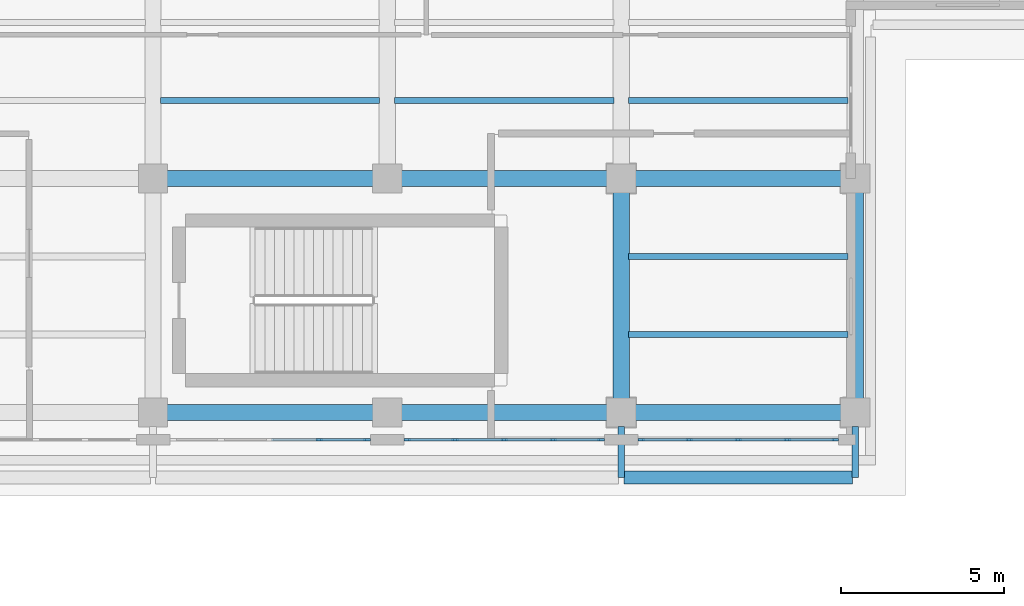
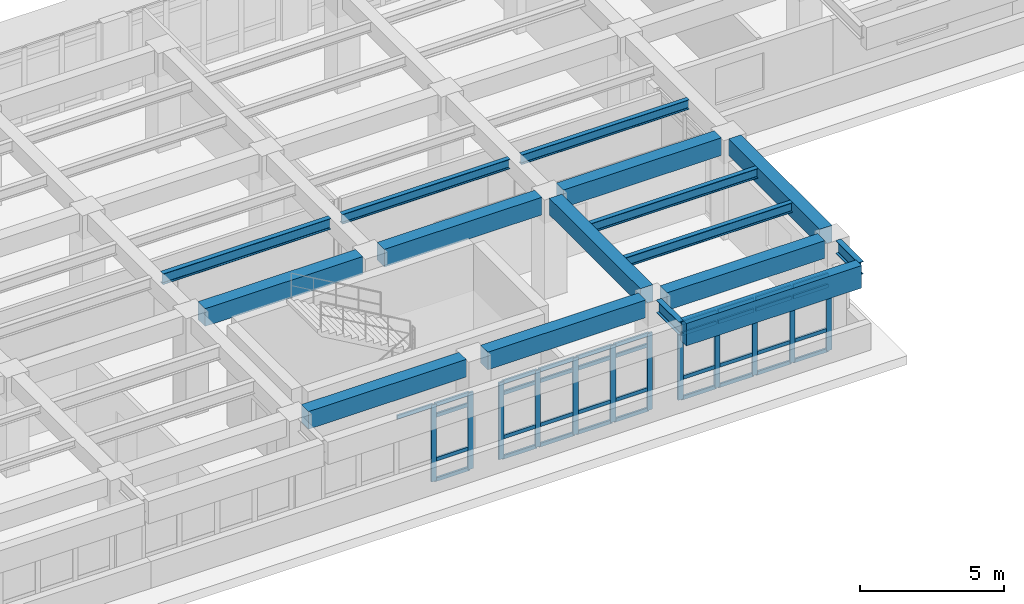
# One storey, part 11 of 69: 49 members, 16 beams, 3 elements without a shape of their own.
"""IFC4 building model written with IfcOpenShell, lengths in metres."""

from ifc_helpers import new_model, si_unit, direction, frame, origin, origin_2d, place, context, subcontext, project, spatial, rectangle, i_section, extrude, material, layer, layer_set, material_profile, profile_set, type_object, element, aggregate, save


model = new_model("IFC4")

# Units and contexts
model_context = context("Model", 3, precision=1e-05, world=origin(), true_north=direction((0.0, 1.0)))
body_context = subcontext(model_context, "Body", "Model", "MODEL_VIEW")
ifc_project = project(units=[si_unit("LENGTHUNIT", "METRE"), si_unit("AREAUNIT", "SQUARE_METRE"), si_unit("VOLUMEUNIT", "CUBIC_METRE"), si_unit("PLANEANGLEUNIT", "RADIAN"), si_unit("MASSUNIT", "GRAM", prefix="KILO")], contexts=[model_context])

# Site, building, storey
site_placement = place(None, origin())
site = spatial("IfcSite", under=ifc_project, at=site_placement, CompositionType="ELEMENT")
building_placement = place(site_placement, origin())
building = spatial("IfcBuilding", under=site, at=building_placement, Name="Solenvale Faculty of Natural Sciences", CompositionType="ELEMENT")
storey_placement = place(building_placement, frame((0.0, 0.0, 4.5)))
storey = spatial("IfcBuildingStorey", under=building, at=storey_placement, Name="L01", CompositionType="ELEMENT", Elevation=4.5)

# Beams
ifc_material_1 = material(Name="Concrete 40 MPa", Category="concrete")
ifc_material_profile_1 = material_profile(ifc_material_1, rectangle(XDim=0.5, YDim=0.699951171875, at=origin_2d()), Name="RC-BM-500x700")
ifc_profile_set_1 = profile_set([ifc_material_profile_1], Name="Concrete 40 MPa")
beam_type_1 = type_object("IfcBeamType", Name="BM-RC-500x700", PredefinedType="BEAM", material=ifc_profile_set_1)
for number, where, z_axis, x_axis, name in (
    (1, (108.0, 22.030029296875, 3.8701171875), (0.0, 1.0, 0.0), (-1.0, 0.0, 0.0), "L01 Y-Girder X108.0 (21.6..28.8)"),
    (2, (115.199951171875, 22.030029296875, 3.8701171875), (0.0, 1.0, 0.0), (-1.0, 0.0, 0.0), "L01 Y-Girder X115.2 (21.6..28.8)"),
):
    element("IfcBeam", number, at=place(storey_placement, frame(where, z_axis=z_axis, x_axis=x_axis)), inside=storey, type_object=beam_type_1, Name=name, PredefinedType="BEAM", context=body_context, shape_type="SweptSolid", body=[
        extrude(rectangle(XDim=0.5, YDim=0.699951171875, at=origin_2d()), origin(), (0.0, 0.0, 1.0), 6.340087890625),
    ])
ifc_material_profile_2 = material_profile(ifc_material_1, rectangle(XDim=0.5, YDim=0.75, at=origin_2d()), Name="RC-BM-500x750")
ifc_profile_set_2 = profile_set([ifc_material_profile_2], Name="Concrete 40 MPa")
beam_type_2 = type_object("IfcBeamType", Name="BM-RC-500x750", PredefinedType="BEAM", material=ifc_profile_set_2)
for number, where, z_axis, x_axis, name in (
    (3, (94.030029296875, 21.60009765625, 3.844970703125), (1.0, 0.0, 0.0), (0.0, 1.0, 0.0), "L01 X-Girder Y21.6 (93.6..100.8)"),
    (4, (101.22998046875, 21.60009765625, 3.844970703125), (1.0, 0.0, 0.0), (0.0, 1.0, 0.0), "L01 X-Girder Y21.6 (100.8..108.0)"),
    (5, (108.429931640625, 21.60009765625, 3.844970703125), (1.0, 0.0, 0.0), (0.0, 1.0, 0.0), "L01 X-Girder Y21.6 (108.0..115.2)"),
    (6, (94.030029296875, 28.800048828125, 3.844970703125), (1.0, 0.0, 0.0), (0.0, 1.0, 0.0), "L01 X-Girder Y28.8 (93.6..100.8)"),
    (7, (101.22998046875, 28.800048828125, 3.844970703125), (1.0, 0.0, 0.0), (0.0, 1.0, 0.0), "L01 X-Girder Y28.8 (100.8..108.0)"),
    (8, (108.429931640625, 28.800048828125, 3.844970703125), (1.0, 0.0, 0.0), (0.0, 1.0, 0.0), "L01 X-Girder Y28.8 (108.0..115.2)"),
):
    element("IfcBeam", number, at=place(storey_placement, frame(where, z_axis=z_axis, x_axis=x_axis)), inside=storey, type_object=beam_type_2, Name=name, PredefinedType="BEAM", context=body_context, shape_type="SweptSolid", body=[
        extrude(rectangle(XDim=0.5, YDim=0.75, at=origin_2d()), origin(), (0.0, 0.0, 1.0), 6.340087890625),
    ])
ifc_material_2 = material(Name="Architectural bronze concrete 40 MPa", Category="concrete")
ifc_material_profile_3 = material_profile(ifc_material_2, rectangle(XDim=0.39990234375, YDim=0.949951171875, at=origin_2d()), Name="RC-SPN-400x950")
ifc_profile_set_3 = profile_set([ifc_material_profile_3], Name="Architectural bronze concrete 40 MPa")
beam_type_3 = type_object("IfcBeamType", Name="BM-SPN-BRZ-950", PredefinedType="SPANDREL", material=ifc_profile_set_3)
beam_1_placement = place(storey_placement, frame((108.080078125, 19.60009765625, 3.7451171875), z_axis=(1.0, 0.0, 0.0), x_axis=(0.0, 1.0, 0.0)))
element("IfcBeam", 9, at=beam_1_placement, inside=storey, type_object=beam_type_3, Name="L02 Sliding-Tray South Bronze Fascia 6", PredefinedType="SPANDREL", context=body_context, shape_type="SweptSolid", body=[
    extrude(rectangle(XDim=0.39990234375, YDim=0.949951171875, at=origin_2d()), origin(), (0.0, 0.0, 1.0), 7.0400390625),
])
ifc_material_3 = material(Name="Steel S355", Category="steel")
ifc_material_profile_4 = material_profile(ifc_material_3, i_section(OverallWidth=0.178955078125, OverallDepth=0.409912109375, WebThickness=0.0087890625, FlangeThickness=0.014404296875, FilletRadius=0.01611328125, at=origin_2d()), Name="W410x67")
ifc_profile_set_4 = profile_set([ifc_material_profile_4], Name="Steel S355")
beam_type_4 = type_object("IfcBeamType", Name="BM-STL-W410x67", PredefinedType="JOIST", material=ifc_profile_set_4)
beam_2_placement = place(storey_placement, frame((108.22998046875, 31.199951171875, 4.014892578125), z_axis=(1.0, 0.0, 0.0), x_axis=(0.0, 1.0, 0.0)))
element("IfcBeam", 10, at=beam_2_placement, inside=storey, type_object=beam_type_4, Name="L01 Composite Floor Joist (16,5).1", PredefinedType="JOIST", context=body_context, shape_type="SweptSolid", body=[
    extrude(i_section(OverallWidth=0.178955078125, OverallDepth=0.409912109375, WebThickness=0.0087890625, FlangeThickness=0.014404296875, FilletRadius=0.01611328125, at=origin_2d()), origin(), (0.0, 0.0, 1.0), 6.739990234375),
])
ifc_material_profile_5 = material_profile(ifc_material_3, i_section(OverallWidth=0.180908203125, OverallDepth=0.4169921875, WebThickness=0.010986328125, FlangeThickness=0.018310546875, FilletRadius=0.01611328125, at=origin_2d()), Name="W410x85")
ifc_profile_set_5 = profile_set([ifc_material_profile_5], Name="Steel S355")
beam_type_5 = type_object("IfcBeamType", Name="BM-STL-W410x85", PredefinedType="JOIST", material=ifc_profile_set_5)
for number, where, z_axis, x_axis, name in (
    (11, (101.030029296875, 31.199951171875, 4.011474609375), (1.0, 0.0, 0.0), (0.0, 1.0, 0.0), "L01 Composite Floor Joist (15,5).1"),
    (12, (108.22998046875, 24.0, 4.011474609375), (1.0, 0.0, 0.0), (0.0, 1.0, 0.0), "L01 Composite Floor Joist (16,4).1"),
    (13, (108.22998046875, 26.39990234375, 4.011474609375), (1.0, 0.0, 0.0), (0.0, 1.0, 0.0), "L01 Composite Floor Joist (16,4).2"),
):
    element("IfcBeam", number, at=place(storey_placement, frame(where, z_axis=z_axis, x_axis=x_axis)), inside=storey, type_object=beam_type_5, Name=name, PredefinedType="JOIST", context=body_context, shape_type="SweptSolid", body=[
        extrude(i_section(OverallWidth=0.180908203125, OverallDepth=0.4169921875, WebThickness=0.010986328125, FlangeThickness=0.018310546875, FilletRadius=0.01611328125, at=origin_2d()), origin(), (0.0, 0.0, 1.0), 6.739990234375),
    ])
ifc_material_profile_6 = material_profile(ifc_material_3, i_section(OverallWidth=0.19091796875, OverallDepth=0.4599609375, WebThickness=0.010009765625, FlangeThickness=0.01611328125, FilletRadius=0.01806640625, at=origin_2d()), Name="W460x82")
ifc_profile_set_6 = profile_set([ifc_material_profile_6], Name="Steel S355")
beam_type_6 = type_object("IfcBeamType", Name="BM-STL-W460x82", PredefinedType="JOIST", material=ifc_profile_set_6)
beam_3_placement = place(storey_placement, frame((93.830078125, 31.199951171875, 3.989990234375), z_axis=(1.0, 0.0, 0.0), x_axis=(0.0, 1.0, 0.0)))
element("IfcBeam", 14, at=beam_3_placement, inside=storey, type_object=beam_type_6, Name="L01 Composite Floor Joist (14,5).1", PredefinedType="JOIST", context=body_context, shape_type="SweptSolid", body=[
    extrude(i_section(OverallWidth=0.19091796875, OverallDepth=0.4599609375, WebThickness=0.010009765625, FlangeThickness=0.01611328125, FilletRadius=0.01806640625, at=origin_2d()), origin(), (0.0, 0.0, 1.0), 6.739990234375),
])
ifc_material_profile_7 = material_profile(ifc_material_3, i_section(OverallWidth=0.2119140625, OverallDepth=0.5439453125, WebThickness=0.01318359375, FlangeThickness=0.021240234375, FilletRadius=0.01904296875, at=origin_2d()), Name="W530x123")
ifc_profile_set_7 = profile_set([ifc_material_profile_7], Name="Steel S355")
beam_type_7 = type_object("IfcBeamType", Name="BM-STL-W530x123", PredefinedType="BEAM", material=ifc_profile_set_7)
for number, where, z_axis, x_axis, name in (
    (15, (108.0, 21.169921875, 3.947998046875), (0.0, -1.0, 0.0), (1.0, 0.0, 0.0), "L01 V4 Cantilever Tray Girder X108.0"),
    (16, (115.199951171875, 21.169921875, 3.947998046875), (0.0, -1.0, 0.0), (1.0, 0.0, 0.0), "L01 V4 Cantilever Tray Girder X115.2"),
):
    element("IfcBeam", number, at=place(storey_placement, frame(where, z_axis=z_axis, x_axis=x_axis)), inside=storey, type_object=beam_type_7, Name=name, PredefinedType="BEAM", context=body_context, shape_type="SweptSolid", body=[
        extrude(i_section(OverallWidth=0.2119140625, OverallDepth=0.5439453125, WebThickness=0.01318359375, FlangeThickness=0.021240234375, FilletRadius=0.01904296875, at=origin_2d()), origin(), (0.0, 0.0, 1.0), 1.56982421875),
    ])

# Curtain wall, members
ifc_material_4 = material(Name="Anodised bronze aluminium", Category="aluminium")
ifc_layer = layer(ifc_material_4, 0.18994140625)
ifc_layer_set = layer_set([ifc_layer], Name="Anodised bronze aluminium")
curtain_wall_type = type_object("IfcCurtainWallType", Name="CW-TRAY-REC", PredefinedType="USERDEFINED", material=ifc_layer_set)
curtain_wall_1_placement = place(storey_placement, origin())
curtain_wall_1 = element("IfcCurtainWall", 17, at=curtain_wall_1_placement, inside=storey, type_object=curtain_wall_type, Name="L01 Curtain Wall CW-L01-P1-E5-B6", ObjectType="UNITISED CURTAIN WALL", PredefinedType="USERDEFINED")
ifc_material_profile_8 = material_profile(ifc_material_4, rectangle(XDim=0.074951171875, YDim=0.2099609375, at=origin_2d()), Name="ALU-MUL-75x210")
ifc_profile_set_8 = profile_set([ifc_material_profile_8], Name="Anodised bronze aluminium")
member_type_1 = type_object("IfcMemberType", Name="CWM-ALU-75x210", PredefinedType="MULLION", material=ifc_profile_set_8)
member_1_placement = place(storey_placement, frame((98.7099609375, 20.762451171875, 0.0), z_axis=(0.0, 0.0, 1.0), x_axis=(0.0, 1.0, 0.0)))
member_1 = element("IfcMember", 18, at=member_1_placement, type_object=member_type_1, Name="CW-02 mullion 4", PredefinedType="MULLION", context=body_context, shape_type="SweptSolid", body=[
    extrude(rectangle(XDim=0.074951171875, YDim=0.2099609375, at=origin_2d()), origin(), (0.0, 0.0, 1.0), 3.260009765625),
])
member_2_placement = place(storey_placement, frame((100.1826171875, 20.762451171875, 0.0), z_axis=(0.0, 0.0, 1.0), x_axis=(0.0, 1.0, 0.0)))
member_2 = element("IfcMember", 19, at=member_2_placement, type_object=member_type_1, Name="CW-02 mullion 5", PredefinedType="MULLION", context=body_context, shape_type="SweptSolid", body=[
    extrude(rectangle(XDim=0.074951171875, YDim=0.2099609375, at=origin_2d()), origin(), (0.0, 0.0, 1.0), 3.260009765625),
])

curtain_wall_2_placement = place(storey_placement, origin())
curtain_wall_2 = element("IfcCurtainWall", 20, at=curtain_wall_2_placement, inside=storey, type_object=curtain_wall_type, Name="L01 Curtain Wall CW-L01-P1-E5-B7", ObjectType="UNITISED CURTAIN WALL", PredefinedType="USERDEFINED")
member_3_placement = place(storey_placement, frame((101.41748046875, 20.762451171875, 0.0), z_axis=(0.0, 0.0, 1.0), x_axis=(0.0, 1.0, 0.0)))
member_3 = element("IfcMember", 21, at=member_3_placement, type_object=member_type_1, Name="CW-02 mullion 1", PredefinedType="MULLION", context=body_context, shape_type="SweptSolid", body=[
    extrude(rectangle(XDim=0.074951171875, YDim=0.2099609375, at=origin_2d()), origin(), (0.0, 0.0, 1.0), 3.260009765625),
])
member_4_placement = place(storey_placement, frame((102.889892578125, 20.762451171875, 0.0), z_axis=(0.0, 0.0, 1.0), x_axis=(0.0, 1.0, 0.0)))
member_4 = element("IfcMember", 22, at=member_4_placement, type_object=member_type_1, Name="CW-02 mullion 2", PredefinedType="MULLION", context=body_context, shape_type="SweptSolid", body=[
    extrude(rectangle(XDim=0.074951171875, YDim=0.2099609375, at=origin_2d()), origin(), (0.0, 0.0, 1.0), 3.260009765625),
])
member_5_placement = place(storey_placement, frame((104.39990234375, 20.762451171875, 0.0), z_axis=(0.0, 0.0, 1.0), x_axis=(0.0, 1.0, 0.0)))
member_5 = element("IfcMember", 23, at=member_5_placement, type_object=member_type_1, Name="CW-02 mullion 3", PredefinedType="MULLION", context=body_context, shape_type="SweptSolid", body=[
    extrude(rectangle(XDim=0.074951171875, YDim=0.2099609375, at=origin_2d()), origin(), (0.0, 0.0, 1.0), 3.260009765625),
])
member_6_placement = place(storey_placement, frame((105.909912109375, 20.762451171875, 0.0), z_axis=(0.0, 0.0, 1.0), x_axis=(0.0, 1.0, 0.0)))
member_6 = element("IfcMember", 24, at=member_6_placement, type_object=member_type_1, Name="CW-02 mullion 4", PredefinedType="MULLION", context=body_context, shape_type="SweptSolid", body=[
    extrude(rectangle(XDim=0.074951171875, YDim=0.2099609375, at=origin_2d()), origin(), (0.0, 0.0, 1.0), 3.260009765625),
])
member_7_placement = place(storey_placement, frame((107.382568359375, 20.762451171875, 0.0), z_axis=(0.0, 0.0, 1.0), x_axis=(0.0, 1.0, 0.0)))
member_7 = element("IfcMember", 25, at=member_7_placement, type_object=member_type_1, Name="CW-02 mullion 5", PredefinedType="MULLION", context=body_context, shape_type="SweptSolid", body=[
    extrude(rectangle(XDim=0.074951171875, YDim=0.2099609375, at=origin_2d()), origin(), (0.0, 0.0, 1.0), 3.260009765625),
])

curtain_wall_3_placement = place(storey_placement, origin())
curtain_wall_3 = element("IfcCurtainWall", 26, at=curtain_wall_3_placement, inside=storey, type_object=curtain_wall_type, Name="L01 Curtain Wall CW-L01-P1-E5-B8", ObjectType="UNITISED CURTAIN WALL", PredefinedType="USERDEFINED")
member_8_placement = place(storey_placement, frame((108.617431640625, 20.762451171875, 0.0), z_axis=(0.0, 0.0, 1.0), x_axis=(0.0, 1.0, 0.0)))
member_8 = element("IfcMember", 27, at=member_8_placement, type_object=member_type_1, Name="CW-02 mullion 1", PredefinedType="MULLION", context=body_context, shape_type="SweptSolid", body=[
    extrude(rectangle(XDim=0.074951171875, YDim=0.2099609375, at=origin_2d()), origin(), (0.0, 0.0, 1.0), 3.260009765625),
])
member_9_placement = place(storey_placement, frame((110.090087890625, 20.762451171875, 0.0), z_axis=(0.0, 0.0, 1.0), x_axis=(0.0, 1.0, 0.0)))
member_9 = element("IfcMember", 28, at=member_9_placement, type_object=member_type_1, Name="CW-02 mullion 2", PredefinedType="MULLION", context=body_context, shape_type="SweptSolid", body=[
    extrude(rectangle(XDim=0.074951171875, YDim=0.2099609375, at=origin_2d()), origin(), (0.0, 0.0, 1.0), 3.260009765625),
])
member_10_placement = place(storey_placement, frame((111.60009765625, 20.762451171875, 0.0), z_axis=(0.0, 0.0, 1.0), x_axis=(0.0, 1.0, 0.0)))
member_10 = element("IfcMember", 29, at=member_10_placement, type_object=member_type_1, Name="CW-02 mullion 3", PredefinedType="MULLION", context=body_context, shape_type="SweptSolid", body=[
    extrude(rectangle(XDim=0.074951171875, YDim=0.2099609375, at=origin_2d()), origin(), (0.0, 0.0, 1.0), 3.260009765625),
])
member_11_placement = place(storey_placement, frame((113.110107421875, 20.762451171875, 0.0), z_axis=(0.0, 0.0, 1.0), x_axis=(0.0, 1.0, 0.0)))
member_11 = element("IfcMember", 30, at=member_11_placement, type_object=member_type_1, Name="CW-02 mullion 4", PredefinedType="MULLION", context=body_context, shape_type="SweptSolid", body=[
    extrude(rectangle(XDim=0.074951171875, YDim=0.2099609375, at=origin_2d()), origin(), (0.0, 0.0, 1.0), 3.260009765625),
])
member_12_placement = place(storey_placement, frame((114.58251953125, 20.762451171875, 0.0), z_axis=(0.0, 0.0, 1.0), x_axis=(0.0, 1.0, 0.0)))
member_12 = element("IfcMember", 31, at=member_12_placement, type_object=member_type_1, Name="CW-02 mullion 5", PredefinedType="MULLION", context=body_context, shape_type="SweptSolid", body=[
    extrude(rectangle(XDim=0.074951171875, YDim=0.2099609375, at=origin_2d()), origin(), (0.0, 0.0, 1.0), 3.260009765625),
])

# Member
ifc_material_profile_9 = material_profile(ifc_material_4, rectangle(XDim=0.074951171875, YDim=0.155029296875, at=origin_2d()), Name="ALU-TRN-75x155")
ifc_profile_set_9 = profile_set([ifc_material_profile_9], Name="Anodised bronze aluminium")
member_type_2 = type_object("IfcMemberType", Name="CWT-ALU-75x155", PredefinedType="USERDEFINED", material=ifc_profile_set_9)
member_13_placement = place(storey_placement, frame((97.237548828125, 20.762451171875, 3.222412109375), z_axis=(1.0, 0.0, 0.0), x_axis=(0.0, 1.0, 0.0)))
member_13 = element("IfcMember", 32, at=member_13_placement, type_object=member_type_2, Name="CW-02 transom 3.4", ObjectType="TRANSOM", PredefinedType="USERDEFINED", context=body_context, shape_type="SweptSolid", body=[
    extrude(rectangle(XDim=0.074951171875, YDim=0.155029296875, at=origin_2d()), origin(), (0.0, 0.0, 1.0), 1.43505859375),
])

member_14_placement = place(storey_placement, frame((98.74755859375, 20.762451171875, 0.03759765625), z_axis=(1.0, 0.0, 0.0), x_axis=(0.0, 1.0, 0.0)))
member_14 = element("IfcMember", 33, at=member_14_placement, type_object=member_type_2, Name="CW-02 transom 4.1", ObjectType="TRANSOM", PredefinedType="USERDEFINED", context=body_context, shape_type="SweptSolid", body=[
    extrude(rectangle(XDim=0.074951171875, YDim=0.155029296875, at=origin_2d()), origin(), (0.0, 0.0, 1.0), 1.3974609375),
])

member_15_placement = place(storey_placement, frame((98.74755859375, 20.762451171875, 0.89990234375), z_axis=(1.0, 0.0, 0.0), x_axis=(0.0, 1.0, 0.0)))
member_15 = element("IfcMember", 34, at=member_15_placement, type_object=member_type_2, Name="CW-02 transom 4.2", ObjectType="TRANSOM", PredefinedType="USERDEFINED", context=body_context, shape_type="SweptSolid", body=[
    extrude(rectangle(XDim=0.074951171875, YDim=0.155029296875, at=origin_2d()), origin(), (0.0, 0.0, 1.0), 1.3974609375),
])

member_16_placement = place(storey_placement, frame((98.74755859375, 20.762451171875, 2.760009765625), z_axis=(1.0, 0.0, 0.0), x_axis=(0.0, 1.0, 0.0)))
member_16 = element("IfcMember", 35, at=member_16_placement, type_object=member_type_2, Name="CW-02 transom 4.3", ObjectType="TRANSOM", PredefinedType="USERDEFINED", context=body_context, shape_type="SweptSolid", body=[
    extrude(rectangle(XDim=0.074951171875, YDim=0.155029296875, at=origin_2d()), origin(), (0.0, 0.0, 1.0), 1.3974609375),
])

member_17_placement = place(storey_placement, frame((98.74755859375, 20.762451171875, 3.222412109375), z_axis=(1.0, 0.0, 0.0), x_axis=(0.0, 1.0, 0.0)))
member_17 = element("IfcMember", 36, at=member_17_placement, type_object=member_type_2, Name="CW-02 transom 4.4", ObjectType="TRANSOM", PredefinedType="USERDEFINED", context=body_context, shape_type="SweptSolid", body=[
    extrude(rectangle(XDim=0.074951171875, YDim=0.155029296875, at=origin_2d()), origin(), (0.0, 0.0, 1.0), 1.3974609375),
])

aggregate(curtain_wall_1, [member_1, member_2, member_13, member_14, member_15, member_16, member_17])

member_18_placement = place(storey_placement, frame((101.455078125, 20.762451171875, 0.03759765625), z_axis=(1.0, 0.0, 0.0), x_axis=(0.0, 1.0, 0.0)))
member_18 = element("IfcMember", 37, at=member_18_placement, type_object=member_type_2, Name="CW-02 transom 1.1", ObjectType="TRANSOM", PredefinedType="USERDEFINED", context=body_context, shape_type="SweptSolid", body=[
    extrude(rectangle(XDim=0.074951171875, YDim=0.155029296875, at=origin_2d()), origin(), (0.0, 0.0, 1.0), 1.3974609375),
])

member_19_placement = place(storey_placement, frame((101.455078125, 20.762451171875, 0.89990234375), z_axis=(1.0, 0.0, 0.0), x_axis=(0.0, 1.0, 0.0)))
member_19 = element("IfcMember", 38, at=member_19_placement, type_object=member_type_2, Name="CW-02 transom 1.2", ObjectType="TRANSOM", PredefinedType="USERDEFINED", context=body_context, shape_type="SweptSolid", body=[
    extrude(rectangle(XDim=0.074951171875, YDim=0.155029296875, at=origin_2d()), origin(), (0.0, 0.0, 1.0), 1.3974609375),
])

member_20_placement = place(storey_placement, frame((101.455078125, 20.762451171875, 2.760009765625), z_axis=(1.0, 0.0, 0.0), x_axis=(0.0, 1.0, 0.0)))
member_20 = element("IfcMember", 39, at=member_20_placement, type_object=member_type_2, Name="CW-02 transom 1.3", ObjectType="TRANSOM", PredefinedType="USERDEFINED", context=body_context, shape_type="SweptSolid", body=[
    extrude(rectangle(XDim=0.074951171875, YDim=0.155029296875, at=origin_2d()), origin(), (0.0, 0.0, 1.0), 1.3974609375),
])

member_21_placement = place(storey_placement, frame((101.455078125, 20.762451171875, 3.222412109375), z_axis=(1.0, 0.0, 0.0), x_axis=(0.0, 1.0, 0.0)))
member_21 = element("IfcMember", 40, at=member_21_placement, type_object=member_type_2, Name="CW-02 transom 1.4", ObjectType="TRANSOM", PredefinedType="USERDEFINED", context=body_context, shape_type="SweptSolid", body=[
    extrude(rectangle(XDim=0.074951171875, YDim=0.155029296875, at=origin_2d()), origin(), (0.0, 0.0, 1.0), 1.3974609375),
])

member_22_placement = place(storey_placement, frame((102.927490234375, 20.762451171875, 0.03759765625), z_axis=(1.0, 0.0, 0.0), x_axis=(0.0, 1.0, 0.0)))
member_22 = element("IfcMember", 41, at=member_22_placement, type_object=member_type_2, Name="CW-02 transom 2.1", ObjectType="TRANSOM", PredefinedType="USERDEFINED", context=body_context, shape_type="SweptSolid", body=[
    extrude(rectangle(XDim=0.074951171875, YDim=0.155029296875, at=origin_2d()), origin(), (0.0, 0.0, 1.0), 1.43505859375),
])

member_23_placement = place(storey_placement, frame((102.927490234375, 20.762451171875, 0.89990234375), z_axis=(1.0, 0.0, 0.0), x_axis=(0.0, 1.0, 0.0)))
member_23 = element("IfcMember", 42, at=member_23_placement, type_object=member_type_2, Name="CW-02 transom 2.2", ObjectType="TRANSOM", PredefinedType="USERDEFINED", context=body_context, shape_type="SweptSolid", body=[
    extrude(rectangle(XDim=0.074951171875, YDim=0.155029296875, at=origin_2d()), origin(), (0.0, 0.0, 1.0), 1.43505859375),
])

member_24_placement = place(storey_placement, frame((102.927490234375, 20.762451171875, 2.760009765625), z_axis=(1.0, 0.0, 0.0), x_axis=(0.0, 1.0, 0.0)))
member_24 = element("IfcMember", 43, at=member_24_placement, type_object=member_type_2, Name="CW-02 transom 2.3", ObjectType="TRANSOM", PredefinedType="USERDEFINED", context=body_context, shape_type="SweptSolid", body=[
    extrude(rectangle(XDim=0.074951171875, YDim=0.155029296875, at=origin_2d()), origin(), (0.0, 0.0, 1.0), 1.43505859375),
])

member_25_placement = place(storey_placement, frame((102.927490234375, 20.762451171875, 3.222412109375), z_axis=(1.0, 0.0, 0.0), x_axis=(0.0, 1.0, 0.0)))
member_25 = element("IfcMember", 44, at=member_25_placement, type_object=member_type_2, Name="CW-02 transom 2.4", ObjectType="TRANSOM", PredefinedType="USERDEFINED", context=body_context, shape_type="SweptSolid", body=[
    extrude(rectangle(XDim=0.074951171875, YDim=0.155029296875, at=origin_2d()), origin(), (0.0, 0.0, 1.0), 1.43505859375),
])

member_26_placement = place(storey_placement, frame((104.4375, 20.762451171875, 0.03759765625), z_axis=(1.0, 0.0, 0.0), x_axis=(0.0, 1.0, 0.0)))
member_26 = element("IfcMember", 45, at=member_26_placement, type_object=member_type_2, Name="CW-02 transom 3.1", ObjectType="TRANSOM", PredefinedType="USERDEFINED", context=body_context, shape_type="SweptSolid", body=[
    extrude(rectangle(XDim=0.074951171875, YDim=0.155029296875, at=origin_2d()), origin(), (0.0, 0.0, 1.0), 1.43505859375),
])

member_27_placement = place(storey_placement, frame((104.4375, 20.762451171875, 0.89990234375), z_axis=(1.0, 0.0, 0.0), x_axis=(0.0, 1.0, 0.0)))
member_27 = element("IfcMember", 46, at=member_27_placement, type_object=member_type_2, Name="CW-02 transom 3.2", ObjectType="TRANSOM", PredefinedType="USERDEFINED", context=body_context, shape_type="SweptSolid", body=[
    extrude(rectangle(XDim=0.074951171875, YDim=0.155029296875, at=origin_2d()), origin(), (0.0, 0.0, 1.0), 1.43505859375),
])

member_28_placement = place(storey_placement, frame((104.4375, 20.762451171875, 2.760009765625), z_axis=(1.0, 0.0, 0.0), x_axis=(0.0, 1.0, 0.0)))
member_28 = element("IfcMember", 47, at=member_28_placement, type_object=member_type_2, Name="CW-02 transom 3.3", ObjectType="TRANSOM", PredefinedType="USERDEFINED", context=body_context, shape_type="SweptSolid", body=[
    extrude(rectangle(XDim=0.074951171875, YDim=0.155029296875, at=origin_2d()), origin(), (0.0, 0.0, 1.0), 1.43505859375),
])

member_29_placement = place(storey_placement, frame((104.4375, 20.762451171875, 3.222412109375), z_axis=(1.0, 0.0, 0.0), x_axis=(0.0, 1.0, 0.0)))
member_29 = element("IfcMember", 48, at=member_29_placement, type_object=member_type_2, Name="CW-02 transom 3.4", ObjectType="TRANSOM", PredefinedType="USERDEFINED", context=body_context, shape_type="SweptSolid", body=[
    extrude(rectangle(XDim=0.074951171875, YDim=0.155029296875, at=origin_2d()), origin(), (0.0, 0.0, 1.0), 1.43505859375),
])

member_30_placement = place(storey_placement, frame((105.947509765625, 20.762451171875, 0.03759765625), z_axis=(1.0, 0.0, 0.0), x_axis=(0.0, 1.0, 0.0)))
member_30 = element("IfcMember", 49, at=member_30_placement, type_object=member_type_2, Name="CW-02 transom 4.1", ObjectType="TRANSOM", PredefinedType="USERDEFINED", context=body_context, shape_type="SweptSolid", body=[
    extrude(rectangle(XDim=0.074951171875, YDim=0.155029296875, at=origin_2d()), origin(), (0.0, 0.0, 1.0), 1.3974609375),
])

member_31_placement = place(storey_placement, frame((105.947509765625, 20.762451171875, 0.89990234375), z_axis=(1.0, 0.0, 0.0), x_axis=(0.0, 1.0, 0.0)))
member_31 = element("IfcMember", 50, at=member_31_placement, type_object=member_type_2, Name="CW-02 transom 4.2", ObjectType="TRANSOM", PredefinedType="USERDEFINED", context=body_context, shape_type="SweptSolid", body=[
    extrude(rectangle(XDim=0.074951171875, YDim=0.155029296875, at=origin_2d()), origin(), (0.0, 0.0, 1.0), 1.3974609375),
])

member_32_placement = place(storey_placement, frame((105.947509765625, 20.762451171875, 2.760009765625), z_axis=(1.0, 0.0, 0.0), x_axis=(0.0, 1.0, 0.0)))
member_32 = element("IfcMember", 51, at=member_32_placement, type_object=member_type_2, Name="CW-02 transom 4.3", ObjectType="TRANSOM", PredefinedType="USERDEFINED", context=body_context, shape_type="SweptSolid", body=[
    extrude(rectangle(XDim=0.074951171875, YDim=0.155029296875, at=origin_2d()), origin(), (0.0, 0.0, 1.0), 1.3974609375),
])

member_33_placement = place(storey_placement, frame((105.947509765625, 20.762451171875, 3.222412109375), z_axis=(1.0, 0.0, 0.0), x_axis=(0.0, 1.0, 0.0)))
member_33 = element("IfcMember", 52, at=member_33_placement, type_object=member_type_2, Name="CW-02 transom 4.4", ObjectType="TRANSOM", PredefinedType="USERDEFINED", context=body_context, shape_type="SweptSolid", body=[
    extrude(rectangle(XDim=0.074951171875, YDim=0.155029296875, at=origin_2d()), origin(), (0.0, 0.0, 1.0), 1.3974609375),
])

aggregate(curtain_wall_2, [member_3, member_4, member_5, member_6, member_7, member_18, member_19, member_20, member_21, member_22, member_23, member_24, member_25, member_26, member_27, member_28, member_29, member_30, member_31, member_32, member_33])

member_34_placement = place(storey_placement, frame((108.655029296875, 20.762451171875, 0.03759765625), z_axis=(1.0, 0.0, 0.0), x_axis=(0.0, 1.0, 0.0)))
member_34 = element("IfcMember", 53, at=member_34_placement, type_object=member_type_2, Name="CW-02 transom 1.1", ObjectType="TRANSOM", PredefinedType="USERDEFINED", context=body_context, shape_type="SweptSolid", body=[
    extrude(rectangle(XDim=0.074951171875, YDim=0.155029296875, at=origin_2d()), origin(), (0.0, 0.0, 1.0), 1.3974609375),
])

member_35_placement = place(storey_placement, frame((108.655029296875, 20.762451171875, 0.89990234375), z_axis=(1.0, 0.0, 0.0), x_axis=(0.0, 1.0, 0.0)))
member_35 = element("IfcMember", 54, at=member_35_placement, type_object=member_type_2, Name="CW-02 transom 1.2", ObjectType="TRANSOM", PredefinedType="USERDEFINED", context=body_context, shape_type="SweptSolid", body=[
    extrude(rectangle(XDim=0.074951171875, YDim=0.155029296875, at=origin_2d()), origin(), (0.0, 0.0, 1.0), 1.3974609375),
])

member_36_placement = place(storey_placement, frame((108.655029296875, 20.762451171875, 2.760009765625), z_axis=(1.0, 0.0, 0.0), x_axis=(0.0, 1.0, 0.0)))
member_36 = element("IfcMember", 55, at=member_36_placement, type_object=member_type_2, Name="CW-02 transom 1.3", ObjectType="TRANSOM", PredefinedType="USERDEFINED", context=body_context, shape_type="SweptSolid", body=[
    extrude(rectangle(XDim=0.074951171875, YDim=0.155029296875, at=origin_2d()), origin(), (0.0, 0.0, 1.0), 1.3974609375),
])

member_37_placement = place(storey_placement, frame((108.655029296875, 20.762451171875, 3.222412109375), z_axis=(1.0, 0.0, 0.0), x_axis=(0.0, 1.0, 0.0)))
member_37 = element("IfcMember", 56, at=member_37_placement, type_object=member_type_2, Name="CW-02 transom 1.4", ObjectType="TRANSOM", PredefinedType="USERDEFINED", context=body_context, shape_type="SweptSolid", body=[
    extrude(rectangle(XDim=0.074951171875, YDim=0.155029296875, at=origin_2d()), origin(), (0.0, 0.0, 1.0), 1.3974609375),
])

member_38_placement = place(storey_placement, frame((110.12744140625, 20.762451171875, 0.03759765625), z_axis=(1.0, 0.0, 0.0), x_axis=(0.0, 1.0, 0.0)))
member_38 = element("IfcMember", 57, at=member_38_placement, type_object=member_type_2, Name="CW-02 transom 2.1", ObjectType="TRANSOM", PredefinedType="USERDEFINED", context=body_context, shape_type="SweptSolid", body=[
    extrude(rectangle(XDim=0.074951171875, YDim=0.155029296875, at=origin_2d()), origin(), (0.0, 0.0, 1.0), 1.43505859375),
])

member_39_placement = place(storey_placement, frame((110.12744140625, 20.762451171875, 0.89990234375), z_axis=(1.0, 0.0, 0.0), x_axis=(0.0, 1.0, 0.0)))
member_39 = element("IfcMember", 58, at=member_39_placement, type_object=member_type_2, Name="CW-02 transom 2.2", ObjectType="TRANSOM", PredefinedType="USERDEFINED", context=body_context, shape_type="SweptSolid", body=[
    extrude(rectangle(XDim=0.074951171875, YDim=0.155029296875, at=origin_2d()), origin(), (0.0, 0.0, 1.0), 1.43505859375),
])

member_40_placement = place(storey_placement, frame((110.12744140625, 20.762451171875, 2.760009765625), z_axis=(1.0, 0.0, 0.0), x_axis=(0.0, 1.0, 0.0)))
member_40 = element("IfcMember", 59, at=member_40_placement, type_object=member_type_2, Name="CW-02 transom 2.3", ObjectType="TRANSOM", PredefinedType="USERDEFINED", context=body_context, shape_type="SweptSolid", body=[
    extrude(rectangle(XDim=0.074951171875, YDim=0.155029296875, at=origin_2d()), origin(), (0.0, 0.0, 1.0), 1.43505859375),
])

member_41_placement = place(storey_placement, frame((110.12744140625, 20.762451171875, 3.222412109375), z_axis=(1.0, 0.0, 0.0), x_axis=(0.0, 1.0, 0.0)))
member_41 = element("IfcMember", 60, at=member_41_placement, type_object=member_type_2, Name="CW-02 transom 2.4", ObjectType="TRANSOM", PredefinedType="USERDEFINED", context=body_context, shape_type="SweptSolid", body=[
    extrude(rectangle(XDim=0.074951171875, YDim=0.155029296875, at=origin_2d()), origin(), (0.0, 0.0, 1.0), 1.43505859375),
])

member_42_placement = place(storey_placement, frame((111.637451171875, 20.762451171875, 0.03759765625), z_axis=(1.0, 0.0, 0.0), x_axis=(0.0, 1.0, 0.0)))
member_42 = element("IfcMember", 61, at=member_42_placement, type_object=member_type_2, Name="CW-02 transom 3.1", ObjectType="TRANSOM", PredefinedType="USERDEFINED", context=body_context, shape_type="SweptSolid", body=[
    extrude(rectangle(XDim=0.074951171875, YDim=0.155029296875, at=origin_2d()), origin(), (0.0, 0.0, 1.0), 1.43505859375),
])

member_43_placement = place(storey_placement, frame((111.637451171875, 20.762451171875, 0.89990234375), z_axis=(1.0, 0.0, 0.0), x_axis=(0.0, 1.0, 0.0)))
member_43 = element("IfcMember", 62, at=member_43_placement, type_object=member_type_2, Name="CW-02 transom 3.2", ObjectType="TRANSOM", PredefinedType="USERDEFINED", context=body_context, shape_type="SweptSolid", body=[
    extrude(rectangle(XDim=0.074951171875, YDim=0.155029296875, at=origin_2d()), origin(), (0.0, 0.0, 1.0), 1.43505859375),
])

member_44_placement = place(storey_placement, frame((111.637451171875, 20.762451171875, 2.760009765625), z_axis=(1.0, 0.0, 0.0), x_axis=(0.0, 1.0, 0.0)))
member_44 = element("IfcMember", 63, at=member_44_placement, type_object=member_type_2, Name="CW-02 transom 3.3", ObjectType="TRANSOM", PredefinedType="USERDEFINED", context=body_context, shape_type="SweptSolid", body=[
    extrude(rectangle(XDim=0.074951171875, YDim=0.155029296875, at=origin_2d()), origin(), (0.0, 0.0, 1.0), 1.43505859375),
])

member_45_placement = place(storey_placement, frame((111.637451171875, 20.762451171875, 3.222412109375), z_axis=(1.0, 0.0, 0.0), x_axis=(0.0, 1.0, 0.0)))
member_45 = element("IfcMember", 64, at=member_45_placement, type_object=member_type_2, Name="CW-02 transom 3.4", ObjectType="TRANSOM", PredefinedType="USERDEFINED", context=body_context, shape_type="SweptSolid", body=[
    extrude(rectangle(XDim=0.074951171875, YDim=0.155029296875, at=origin_2d()), origin(), (0.0, 0.0, 1.0), 1.43505859375),
])

member_46_placement = place(storey_placement, frame((113.1474609375, 20.762451171875, 0.03759765625), z_axis=(1.0, 0.0, 0.0), x_axis=(0.0, 1.0, 0.0)))
member_46 = element("IfcMember", 65, at=member_46_placement, type_object=member_type_2, Name="CW-02 transom 4.1", ObjectType="TRANSOM", PredefinedType="USERDEFINED", context=body_context, shape_type="SweptSolid", body=[
    extrude(rectangle(XDim=0.074951171875, YDim=0.155029296875, at=origin_2d()), origin(), (0.0, 0.0, 1.0), 1.3974609375),
])

member_47_placement = place(storey_placement, frame((113.1474609375, 20.762451171875, 0.89990234375), z_axis=(1.0, 0.0, 0.0), x_axis=(0.0, 1.0, 0.0)))
member_47 = element("IfcMember", 66, at=member_47_placement, type_object=member_type_2, Name="CW-02 transom 4.2", ObjectType="TRANSOM", PredefinedType="USERDEFINED", context=body_context, shape_type="SweptSolid", body=[
    extrude(rectangle(XDim=0.074951171875, YDim=0.155029296875, at=origin_2d()), origin(), (0.0, 0.0, 1.0), 1.3974609375),
])

member_48_placement = place(storey_placement, frame((113.1474609375, 20.762451171875, 2.760009765625), z_axis=(1.0, 0.0, 0.0), x_axis=(0.0, 1.0, 0.0)))
member_48 = element("IfcMember", 67, at=member_48_placement, type_object=member_type_2, Name="CW-02 transom 4.3", ObjectType="TRANSOM", PredefinedType="USERDEFINED", context=body_context, shape_type="SweptSolid", body=[
    extrude(rectangle(XDim=0.074951171875, YDim=0.155029296875, at=origin_2d()), origin(), (0.0, 0.0, 1.0), 1.3974609375),
])

member_49_placement = place(storey_placement, frame((113.1474609375, 20.762451171875, 3.222412109375), z_axis=(1.0, 0.0, 0.0), x_axis=(0.0, 1.0, 0.0)))
member_49 = element("IfcMember", 68, at=member_49_placement, type_object=member_type_2, Name="CW-02 transom 4.4", ObjectType="TRANSOM", PredefinedType="USERDEFINED", context=body_context, shape_type="SweptSolid", body=[
    extrude(rectangle(XDim=0.074951171875, YDim=0.155029296875, at=origin_2d()), origin(), (0.0, 0.0, 1.0), 1.3974609375),
])

aggregate(curtain_wall_3, [member_8, member_9, member_10, member_11, member_12, member_34, member_35, member_36, member_37, member_38, member_39, member_40, member_41, member_42, member_43, member_44, member_45, member_46, member_47, member_48, member_49])

save(model, "model.ifc")
